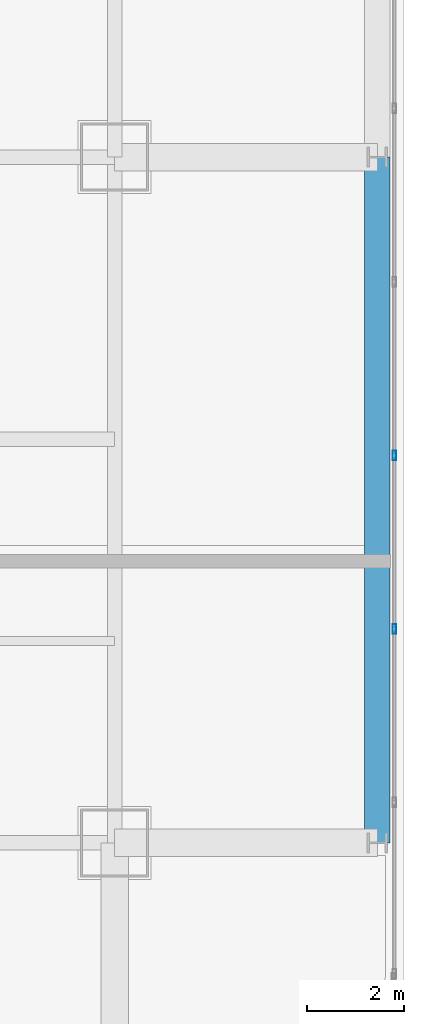
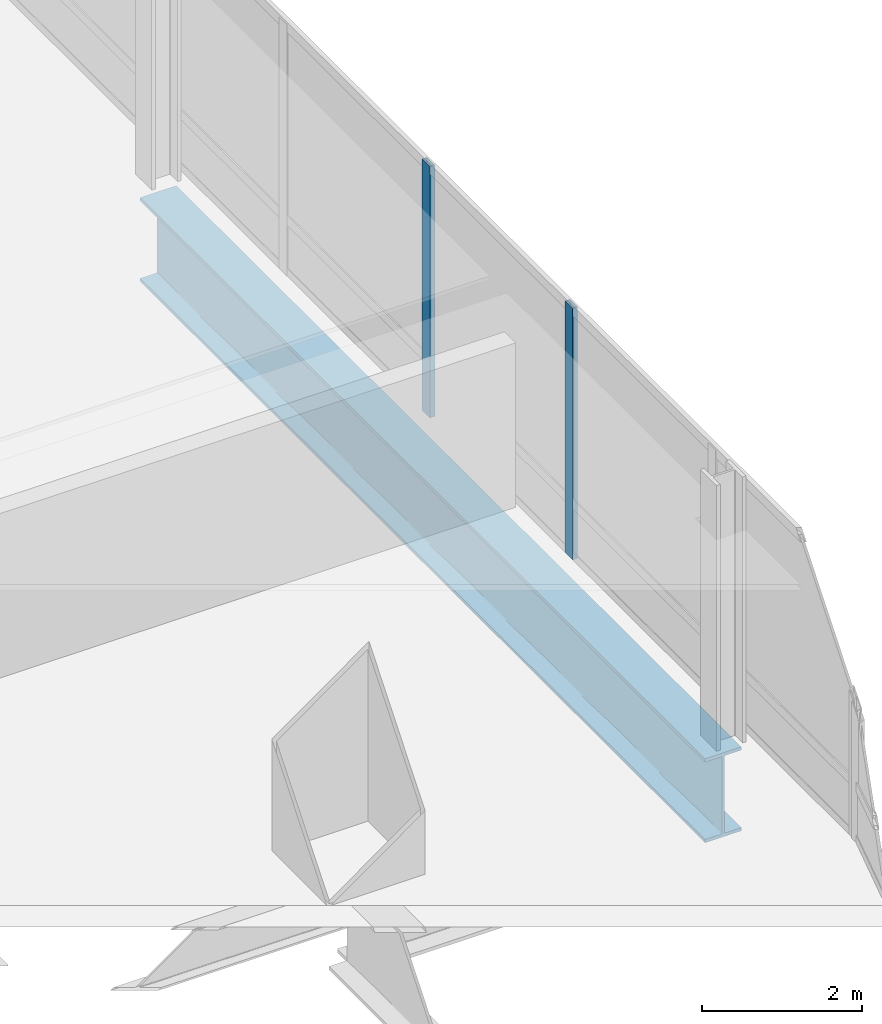
# One storey, part 15 of 35: 2 members, 1 beam, 1 element without a shape of its own.
"""IFC4 building model written with IfcOpenShell, lengths in metres."""

import ifcopenshell
import ifcopenshell.guid

model = None  # the IFC model being written
_history = None  # IfcOwnerHistory: only IFC2X3 demands one
_inside = {}  # id of a spatial element -> (the spatial element, [elements in it])
_under = {}  # id of a project, library or spatial element -> (it, [spatial elements below it])
_declared = {}  # id of a project -> (the project, [libraries it declares])
_typed = {}  # id of a type object -> (the type object, [elements of that type])
_made_of = {}  # id of a material, layer set ... -> (it, [elements and type objects made of it])


def new_model(schema):
    """Start an empty IFC model of exactly this schema.

    Asked for "IFC4X3", IfcOpenShell would pick the latest addendum, in which some entities
    have other attributes; the version numbers below select the first issue.
    IFC2X3 requires an IfcOwnerHistory on every rooted entity: one is made here for all.
    """
    global model, _history
    if schema == "IFC4X3":
        model = ifcopenshell.file(schema_version=(4, 3, 0, 0))
    else:
        model = ifcopenshell.file(schema=schema)
    _inside.clear()
    _under.clear()
    _declared.clear()
    _typed.clear()
    _made_of.clear()
    _history = None
    if model.schema == "IFC2X3":
        org = make("IfcOrganization", Name="unknown")
        user = make(
            "IfcPersonAndOrganization",
            ThePerson=make("IfcPerson", FamilyName="unknown"),
            TheOrganization=org,
        )
        app = make(
            "IfcApplication",
            ApplicationDeveloper=org,
            Version="unknown",
            ApplicationFullName="unknown",
            ApplicationIdentifier="unknown",
        )
        _history = make(
            "IfcOwnerHistory",
            OwningUser=user,
            OwningApplication=app,
            ChangeAction="ADDED",
            CreationDate=0,
        )
    return model


def make(cls, **values):
    """One entity of the class cls with the attributes given. An attribute that is None is left unset."""
    return model.create_entity(
        cls, **{name: value for name, value in values.items() if value is not None}
    )


def rooted(cls, **values):
    """An entity with a GlobalId (a new one), such as an element, a storey or a relation."""
    return make(cls, GlobalId=ifcopenshell.guid.new(), OwnerHistory=_history, **values)


def si_unit(unit_type, name, prefix=None):
    """IfcSIUnit, for example si_unit("LENGTHUNIT", "METRE", prefix="MILLI")."""
    return make("IfcSIUnit", UnitType=unit_type, Prefix=prefix, Name=name)


def assignment(units):
    """IfcUnitAssignment: the units of a project."""
    return None if units is None else make("IfcUnitAssignment", Units=units)


def point(xyz):
    """IfcCartesianPoint."""
    return None if xyz is None else make("IfcCartesianPoint", Coordinates=xyz)


def direction(xyz):
    """IfcDirection."""
    return None if xyz is None else make("IfcDirection", DirectionRatios=xyz)


def frame(location, z_axis=None, x_axis=None):
    """IfcAxis2Placement3D, a coordinate frame: its origin and axes. An axis left out is left unset."""
    return make(
        "IfcAxis2Placement3D",
        Location=point(location),
        Axis=direction(z_axis),
        RefDirection=direction(x_axis),
    )


def frame_2d(location, x_axis=None):
    """IfcAxis2Placement2D, a coordinate frame in the plane: its origin and x axis."""
    return make(
        "IfcAxis2Placement2D", Location=point(location), RefDirection=direction(x_axis)
    )


def origin():
    """The frame at (0, 0, 0) with its axes left unset."""
    return frame((0.0, 0.0, 0.0))


def origin_2d():
    """The frame at (0, 0) in the plane with its x axis left unset."""
    return frame_2d((0.0, 0.0))


def place(relative_to, where):
    """IfcLocalPlacement: puts the frame where relative to a parent placement (None: the world)."""
    return make(
        "IfcLocalPlacement", PlacementRelTo=relative_to, RelativePlacement=where
    )


def context(
    kind, dimensions, precision=None, world=None, true_north=None, identifier=None
):
    """IfcGeometricRepresentationContext, for example the 3D "Model" context."""
    return make(
        "IfcGeometricRepresentationContext",
        ContextIdentifier=identifier,
        ContextType=kind,
        CoordinateSpaceDimension=dimensions,
        Precision=precision,
        WorldCoordinateSystem=world,
        TrueNorth=true_north,
    )


def subcontext(parent, identifier, kind, view, scale=None):
    """IfcGeometricRepresentationSubContext, for example "Body" below "Model"."""
    return make(
        "IfcGeometricRepresentationSubContext",
        ContextIdentifier=identifier,
        ContextType=kind,
        ParentContext=parent,
        TargetScale=scale,
        TargetView=view,
    )


def project(units=None, contexts=None):
    """IfcProject with its units and contexts."""
    return rooted(
        "IfcProject",
        Name="project",
        RepresentationContexts=contexts,
        UnitsInContext=assignment(units),
    )


def spatial(cls, under=None, at=None, **own):
    """A site, building, storey or space (cls), placed at a placement, below another one or the project."""
    s = rooted(cls, ObjectPlacement=at, **own)
    if under is not None:
        _under.setdefault(under.id(), (under, []))[1].append(s)
    return s


def profile(cls, at=None, kind="AREA", **sizes):
    """A parametric profile (cls). Its sizes go by their IFC names, for example OverallWidth=200.0."""
    return make(cls, ProfileType=kind, Position=at, **sizes)


def hollow_rectangle(**sizes):
    """IfcRectangleHollowProfileDef."""
    return profile("IfcRectangleHollowProfileDef", **sizes)


def i_section(**sizes):
    """IfcIShapeProfileDef."""
    return profile("IfcIShapeProfileDef", **sizes)


def extrude(swept, where, along, depth):
    """IfcExtrudedAreaSolid: the profile swept, set in the frame where, extruded along a direction by depth."""
    return make(
        "IfcExtrudedAreaSolid",
        SweptArea=swept,
        Position=where,
        ExtrudedDirection=direction(along),
        Depth=depth,
    )


def shape(context_of_items, identifier, shape_type, items):
    """IfcShapeRepresentation: the items that make up one representation, for example the "Body"."""
    return make(
        "IfcShapeRepresentation",
        ContextOfItems=context_of_items,
        RepresentationIdentifier=identifier,
        RepresentationType=shape_type,
        Items=items,
    )


def material(Name=None, Category=None):
    """IfcMaterial."""
    return make("IfcMaterial", Name=Name, Category=Category)


def material_profile(
    of_material, cross_section, Name=None, Category=None, Priority=None
):
    """IfcMaterialProfile: a cross section and its material."""
    return make(
        "IfcMaterialProfile",
        Name=Name,
        Material=of_material,
        Profile=cross_section,
        Priority=Priority,
        Category=Category,
    )


def profile_set(profiles, Name=None, composite=None):
    """IfcMaterialProfileSet."""
    return make(
        "IfcMaterialProfileSet",
        Name=Name,
        MaterialProfiles=profiles,
        CompositeProfile=composite,
    )


def made_of(thing, what):
    """Note that an element or type object is made of a material, layer set ...; save() writes the relation."""
    if what is not None:
        _made_of.setdefault(what.id(), (what, []))[1].append(thing)
    return thing


def type_object(cls, material=None, **own):
    """A type object (cls), such as IfcWallType, which elements share."""
    return made_of(rooted(cls, **own), material)


def element(
    cls,
    number,
    at=None,
    inside=None,
    cuts=None,
    type_object=None,
    material=None,
    context=None,
    identifier="Body",
    shape_type=None,
    held_by="IfcProductDefinitionShape",
    body=None,
    shapes=None,
    **own,
):
    """One element of the class cls, such as IfcWall. Its Tag is "e" and its number.

    at: its placement. inside: the storey or other place that contains it. cuts: it is an
    opening in that element (IfcRelVoidsElement). A single representation is given by context,
    identifier, shape_type and body (its items); several are given by shapes. held_by: the class
    of the entity that holds the representations. save() writes the other relations.
    """
    e = rooted(cls, Tag="e%d" % number, ObjectPlacement=at, **own)
    if body is not None:
        shapes = [shape(context, identifier, shape_type, body)]
    if shapes is not None:
        e.Representation = make(held_by, Representations=shapes)
    if inside is not None:
        _inside.setdefault(inside.id(), (inside, []))[1].append(e)
    if cuts is not None:
        rooted(
            "IfcRelVoidsElement", RelatingBuildingElement=cuts, RelatedOpeningElement=e
        )
    if type_object is not None:
        _typed.setdefault(type_object.id(), (type_object, []))[1].append(e)
    return made_of(e, material)


def aggregate(whole, parts):
    """IfcRelAggregates: a whole, such as a stair, and the parts it consists of."""
    return rooted("IfcRelAggregates", RelatingObject=whole, RelatedObjects=parts)


def save(model, path):
    """Write the relations noted so far, then the file.

    IfcRelAggregates (storeys below a building ...), IfcRelContainedInSpatialStructure (elements
    in a storey), IfcRelDefinesByType, IfcRelAssociatesMaterial and IfcRelDeclares: one each for
    every whole, place, type object, material and project.
    """
    for whole, parts in _under.values():
        aggregate(whole, parts)
    for where, things in _inside.values():
        rooted(
            "IfcRelContainedInSpatialStructure",
            RelatedElements=things,
            RelatingStructure=where,
        )
    for kind, things in _typed.values():
        rooted("IfcRelDefinesByType", RelatedObjects=things, RelatingType=kind)
    for what, things in _made_of.values():
        rooted("IfcRelAssociatesMaterial", RelatedObjects=things, RelatingMaterial=what)
    for by, libraries in _declared.values():
        rooted("IfcRelDeclares", RelatingContext=by, RelatedDefinitions=libraries)
    model.write(path)


model = new_model("IFC4")

# Units and contexts
model_context = context("Model", 3, precision=1e-05, world=origin(), true_north=direction((0.0, 1.0)))
body_context = subcontext(model_context, "Body", "Model", "MODEL_VIEW")
ifc_project = project(units=[si_unit("LENGTHUNIT", "METRE"), si_unit("AREAUNIT", "SQUARE_METRE"), si_unit("VOLUMEUNIT", "CUBIC_METRE"), si_unit("PLANEANGLEUNIT", "RADIAN"), si_unit("MASSUNIT", "GRAM", prefix="KILO")], contexts=[model_context])

# Site, building, storey
site_placement = place(None, origin())
site = spatial("IfcSite", under=ifc_project, at=site_placement, CompositionType="ELEMENT")
building_placement = place(site_placement, origin())
building = spatial("IfcBuilding", under=site, at=building_placement, Name="Punatoya Terracotta Tower", CompositionType="ELEMENT")
storey_placement = place(building_placement, frame((0.0, 0.0, 216.75)))
storey = spatial("IfcBuildingStorey", under=building, at=storey_placement, Name="L51", CompositionType="ELEMENT", Elevation=216.75)

# Beam
ifc_material_1 = material(Name="Steel S460", Category="steel")
ifc_material_profile_1 = material_profile(ifc_material_1, i_section(OverallWidth=0.52001953125, OverallDepth=1.280029296875, WebThickness=0.031982421875, FlangeThickness=0.050048828125, FilletRadius=0.01806640625, at=origin_2d()))
ifc_profile_set_1 = profile_set([ifc_material_profile_1], Name="Steel S460")
beam_type = type_object("IfcBeamType", Name="BM-TG-NCK", PredefinedType="BEAM", material=ifc_profile_set_1)
beam_placement = place(storey_placement, frame((24.5, -17.5, -0.860107421875), z_axis=(0.0, 1.0, 0.0), x_axis=(-1.0, 0.0, 0.0)))
element("IfcBeam", 1, at=beam_placement, inside=storey, type_object=beam_type, Name="BM-L51-PER-E1", PredefinedType="BEAM", context=body_context, shape_type="SweptSolid", body=[
    extrude(i_section(OverallWidth=0.52001953125, OverallDepth=1.280029296875, WebThickness=0.031982421875, FlangeThickness=0.050048828125, FilletRadius=0.01806640625, at=origin_2d()), origin(), (0.0, 0.0, 1.0), 14.10009765625),
])

# Curtain wall, members
ifc_material_2 = material(Name="Aluminium 6063-T6 + Double Low-E Glass", Category="aluminium")
curtain_wall_type = type_object("IfcCurtainWallType", Name="CW-M2", PredefinedType="NOTDEFINED", material=ifc_material_2)
curtain_wall_placement = place(storey_placement, origin())
curtain_wall = element("IfcCurtainWall", 2, at=curtain_wall_placement, inside=storey, type_object=curtain_wall_type, Name="L51 Curtain Wall CW-L51-E05-1", PredefinedType="NOTDEFINED")
ifc_material_3 = material(Name="Aluminium 6063-T6", Category="aluminium")
ifc_material_profile_2 = material_profile(ifc_material_3, hollow_rectangle(XDim=0.072021484375, YDim=0.195068359375, WallThickness=0.00439453125, at=origin_2d()))
ifc_profile_set_2 = profile_set([ifc_material_profile_2], Name="Aluminium 6063-T6")
member_type = type_object("IfcMemberType", Name="CW-MUL-M2", PredefinedType="MULLION", material=ifc_profile_set_2)
member_1_placement = place(storey_placement, frame((24.85009765625, -13.10205078125, 0.0), z_axis=(0.0, 0.0, 1.0), x_axis=(1.0, 0.0, 0.0)))
member_1 = element("IfcMember", 3, at=member_1_placement, type_object=member_type, Name="CW-L51-E05-1 Mullion 02", PredefinedType="MULLION", context=body_context, shape_type="SweptSolid", body=[
    extrude(hollow_rectangle(XDim=0.072021484375, YDim=0.195068359375, WallThickness=0.00439453125, at=origin_2d()), origin(), (0.0, 0.0, 1.0), 3.830078125),
])
member_2_placement = place(storey_placement, frame((24.85009765625, -9.534912109375, 0.0), z_axis=(0.0, 0.0, 1.0), x_axis=(1.0, 0.0, 0.0)))
member_2 = element("IfcMember", 4, at=member_2_placement, type_object=member_type, Name="CW-L51-E05-1 Mullion 03", PredefinedType="MULLION", context=body_context, shape_type="SweptSolid", body=[
    extrude(hollow_rectangle(XDim=0.072021484375, YDim=0.195068359375, WallThickness=0.00439453125, at=origin_2d()), origin(), (0.0, 0.0, 1.0), 3.830078125),
])
aggregate(curtain_wall, [member_1, member_2])

save(model, "model.ifc")
